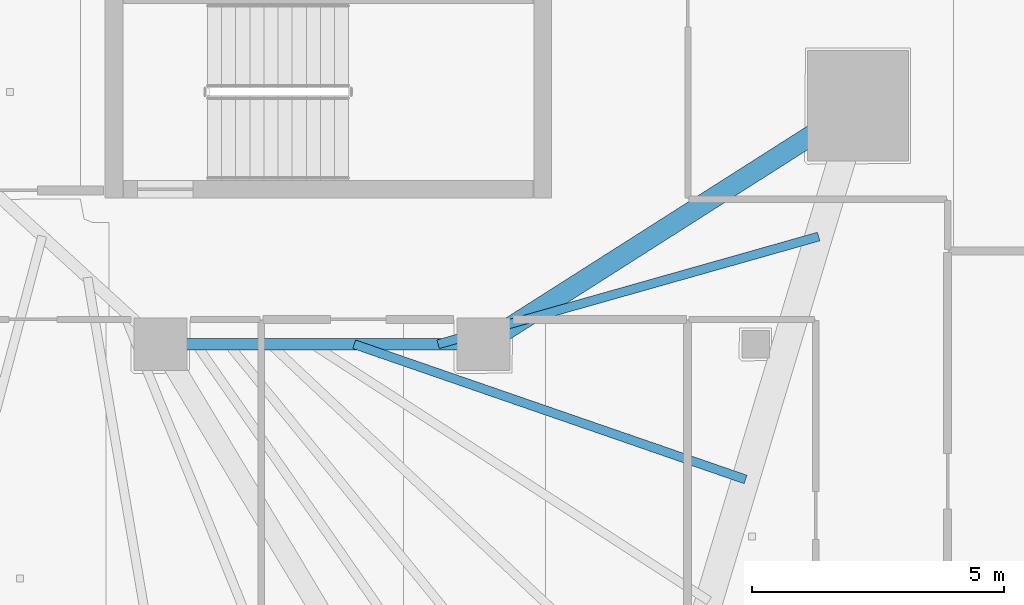
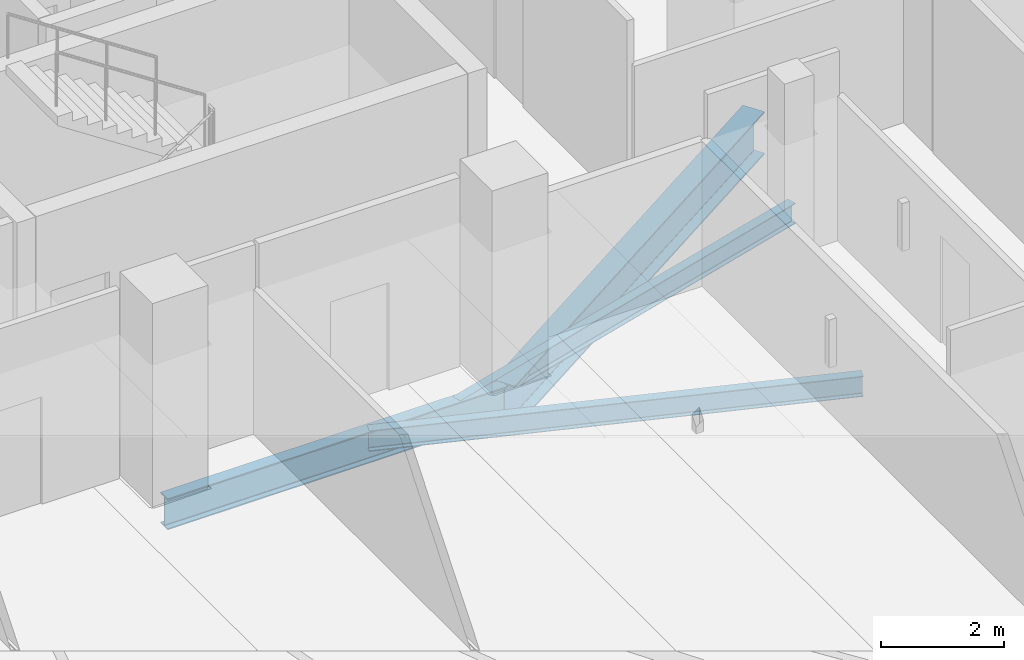
# One storey, part 10 of 35: 4 beams.
"""IFC4 building model written with IfcOpenShell, lengths in metres."""

from ifc_helpers import new_model, si_unit, direction, frame, origin, origin_2d, place, context, subcontext, project, spatial, i_section, extrude, material, material_profile, profile_set, type_object, element, save


model = new_model("IFC4")

# Units and contexts
model_context = context("Model", 3, precision=1e-05, world=origin(), true_north=direction((0.0, 1.0)))
body_context = subcontext(model_context, "Body", "Model", "MODEL_VIEW")
ifc_project = project(units=[si_unit("LENGTHUNIT", "METRE"), si_unit("AREAUNIT", "SQUARE_METRE"), si_unit("VOLUMEUNIT", "CUBIC_METRE"), si_unit("PLANEANGLEUNIT", "RADIAN"), si_unit("MASSUNIT", "GRAM", prefix="KILO")], contexts=[model_context])

# Site, building, storey
site_placement = place(None, origin())
site = spatial("IfcSite", under=ifc_project, at=site_placement, CompositionType="ELEMENT")
building_placement = place(site_placement, origin())
building = spatial("IfcBuilding", under=site, at=building_placement, Name="Qorvath Tower", CompositionType="ELEMENT")
storey_placement = place(building_placement, frame((0.0, 0.0, 166.5)))
storey = spatial("IfcBuildingStorey", under=building, at=storey_placement, Name="L38", CompositionType="ELEMENT", Elevation=166.5)

# Beams
ifc_material_1 = material(Name="Steel ASTM A992 Grade 50", Category="steel")
ifc_material_profile_1 = material_profile(ifc_material_1, i_section(OverallWidth=0.39892578125, OverallDepth=0.85498046875, WebThickness=0.018310546875, FlangeThickness=0.029296875, FilletRadius=0.02001953125, at=origin_2d()), Name="W33x201")
ifc_profile_set_1 = profile_set([ifc_material_profile_1], Name="Steel ASTM A992 Grade 50")
beam_type_1 = type_object("IfcBeamType", Name="BM-FG2", PredefinedType="BEAM", material=ifc_profile_set_1)
beam_1_placement = place(storey_placement, frame((-17.199951171875, -11.449951171875, -0.697509765625), z_axis=(0.843634090834, 0.536918542037, 0.0), x_axis=(-0.536918542037, 0.843634090834, 0.0)))
element("IfcBeam", 1, at=beam_1_placement, inside=storey, type_object=beam_type_1, Name="Radial Floor Girder CC3-MC4 L38", PredefinedType="BEAM", context=body_context, shape_type="SweptSolid", body=[
    extrude(i_section(OverallWidth=0.39892578125, OverallDepth=0.85498046875, WebThickness=0.018310546875, FlangeThickness=0.029296875, FilletRadius=0.02001953125, at=origin_2d()), origin(), (0.0, 0.0, 1.0), 8.806884765625),
])
ifc_material_2 = material(Name="Steel ASTM A992 Grade 50", Category="steel")
ifc_material_profile_2 = material_profile(ifc_material_2, i_section(OverallWidth=0.22998046875, OverallDepth=0.616943359375, WebThickness=0.01318359375, FlangeThickness=0.022216796875, FilletRadius=0.014892578125, at=origin_2d()), Name="W24x94")
ifc_profile_set_2 = profile_set([ifc_material_profile_2], Name="Steel ASTM A992 Grade 50")
beam_type_2 = type_object("IfcBeamType", Name="BM-FG6", PredefinedType="BEAM", material=ifc_profile_set_2)
beam_2_placement = place(storey_placement, frame((-17.199951171875, -11.449951171875, -0.57861328125), z_axis=(-1.0, 0.0, 0.0), x_axis=(0.0, -1.0, 0.0)))
element("IfcBeam", 2, at=beam_2_placement, inside=storey, type_object=beam_type_2, Name="Core Ring Girder CC3-CC4 L38", PredefinedType="BEAM", context=body_context, shape_type="SweptSolid", body=[
    extrude(i_section(OverallWidth=0.22998046875, OverallDepth=0.616943359375, WebThickness=0.01318359375, FlangeThickness=0.022216796875, FilletRadius=0.014892578125, at=origin_2d()), origin(), (0.0, 0.0, 1.0), 6.400146484375),
])
ifc_material_3 = material(Name="Steel ASTM A992 Grade 50", Category="steel")
ifc_material_profile_3 = material_profile(ifc_material_3, i_section(OverallWidth=0.177978515625, OverallDepth=0.406005859375, WebThickness=0.0078125, FlangeThickness=0.0126953125, FilletRadius=0.010986328125, at=origin_2d()), Name="W16x40")
ifc_profile_set_3 = profile_set([ifc_material_profile_3], Name="Steel ASTM A992 Grade 50")
beam_type_3 = type_object("IfcBeamType", Name="BM-FJ3", PredefinedType="JOIST", material=ifc_profile_set_3)
beam_3_placement = place(storey_placement, frame((-18.095947265625, -11.449951171875, -0.472900390625), z_axis=(0.962222206221, 0.272265359264, 0.0), x_axis=(-0.272265359264, 0.962222206221, 0.0)))
element("IfcBeam", 3, at=beam_3_placement, inside=storey, type_object=beam_type_3, Name="Composite Floor Joist SE1 L38", PredefinedType="JOIST", context=body_context, shape_type="SweptSolid", body=[
    extrude(i_section(OverallWidth=0.177978515625, OverallDepth=0.406005859375, WebThickness=0.0078125, FlangeThickness=0.0126953125, FilletRadius=0.010986328125, at=origin_2d()), origin(), (0.0, 0.0, 1.0), 7.841552734375),
])
beam_4_placement = place(storey_placement, frame((-19.760009765625, -11.449951171875, -0.472900390625), z_axis=(0.945168345309, -0.326583525342, 0.0), x_axis=(0.326583525342, 0.945168345309, 0.0)))
element("IfcBeam", 4, at=beam_4_placement, inside=storey, type_object=beam_type_3, Name="Composite Floor Joist SE3 L38", PredefinedType="JOIST", context=body_context, shape_type="SweptSolid", body=[
    extrude(i_section(OverallWidth=0.177978515625, OverallDepth=0.406005859375, WebThickness=0.0078125, FlangeThickness=0.0126953125, FilletRadius=0.010986328125, at=origin_2d()), origin(), (0.0, 0.0, 1.0), 8.21044921875),
])

save(model, "model.ifc")
